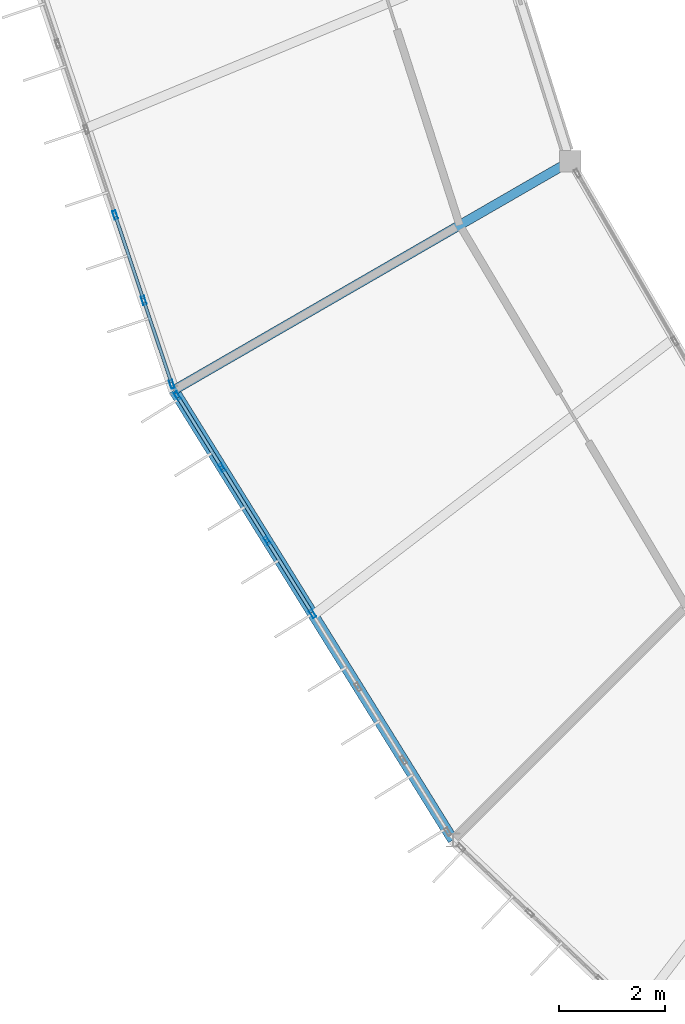
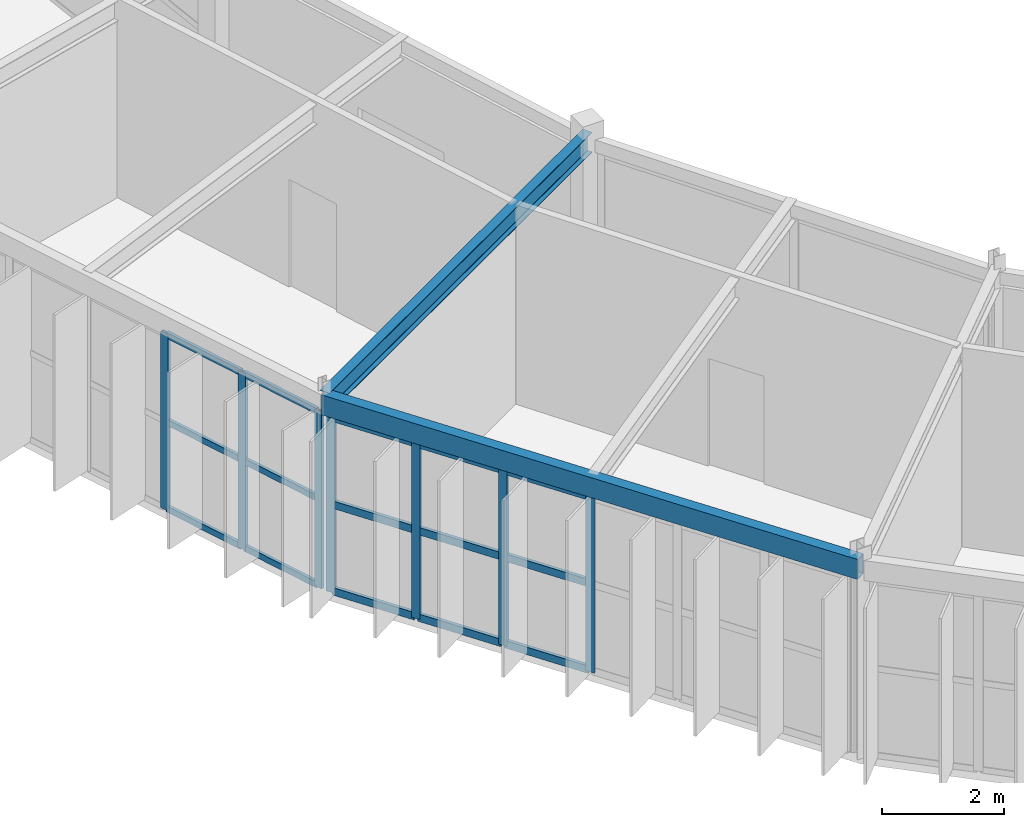
# One storey, part 25 of 134: 22 members, 2 beams, 2 elements without a shape of their own.
"""IFC4 building model written with IfcOpenShell, lengths in metres."""

from ifc_helpers import new_model, si_unit, direction, frame, origin, origin_2d, place, context, subcontext, project, spatial, hollow_rectangle, i_section, extrude, material, material_profile, profile_set, type_object, element, aggregate, save


model = new_model("IFC4")

# Units and contexts
model_context = context("Model", 3, precision=1e-05, world=origin(), true_north=direction((0.0, 1.0)))
body_context = subcontext(model_context, "Body", "Model", "MODEL_VIEW")
ifc_project = project(units=[si_unit("LENGTHUNIT", "METRE"), si_unit("AREAUNIT", "SQUARE_METRE"), si_unit("VOLUMEUNIT", "CUBIC_METRE"), si_unit("PLANEANGLEUNIT", "RADIAN"), si_unit("MASSUNIT", "GRAM", prefix="KILO")], contexts=[model_context])

# Site, building, storey
site_placement = place(None, origin())
site = spatial("IfcSite", under=ifc_project, at=site_placement, CompositionType="ELEMENT")
building_placement = place(site_placement, origin())
building = spatial("IfcBuilding", under=site, at=building_placement, Name="Karori Crest Natural Sciences Institute", CompositionType="ELEMENT")
storey_placement = place(building_placement, frame((0.0, 0.0, 21.699951171875)))
storey = spatial("IfcBuildingStorey", under=building, at=storey_placement, Name="L05", CompositionType="ELEMENT", Elevation=21.699951171875)

# Beams
ifc_material_1 = material(Name="Structural steel AS/NZS 3679.1 Grade 350", Category="steel")
ifc_material_profile_1 = material_profile(ifc_material_1, i_section(OverallWidth=0.177978515625, OverallDepth=0.406005859375, WebThickness=0.0078125, FlangeThickness=0.0126953125, FilletRadius=0.010986328125, at=origin_2d()), Name="410UB59.7")
ifc_profile_set_1 = profile_set([ifc_material_profile_1], Name="Structural steel AS/NZS 3679.1 Grade 350")
beam_type_1 = type_object("IfcBeamType", Name="BT-07", PredefinedType="BEAM", material=ifc_profile_set_1)
beam_1_placement = place(storey_placement, frame((45.26904296875, 33.800048828125, 3.739990234375), z_axis=(-0.866021068297, -0.500007509209, 0.0), x_axis=(0.500007509209, -0.866021068297, 0.0)))
element("IfcBeam", 1, at=beam_1_placement, inside=storey, type_object=beam_type_1, Name="Beam B-0688", PredefinedType="BEAM", context=body_context, shape_type="SweptSolid", body=[
    extrude(i_section(OverallWidth=0.177978515625, OverallDepth=0.406005859375, WebThickness=0.0078125, FlangeThickness=0.0126953125, FilletRadius=0.010986328125, at=origin_2d()), origin(), (0.0, 0.0, 1.0), 8.599853515625),
])
ifc_material_2 = material(Name="Hollow structural steel AS/NZS 1163 Grade C350", Category="steel")
ifc_material_profile_2 = material_profile(ifc_material_2, hollow_rectangle(XDim=0.199951171875, YDim=0.39990234375, WallThickness=0.012451171875, at=origin_2d()), Name="RHS400x200x12.5")
ifc_profile_set_2 = profile_set([ifc_material_profile_2], Name="Hollow structural steel AS/NZS 1163 Grade C350")
beam_type_2 = type_object("IfcBeamType", Name="BT-14", PredefinedType="SPANDREL", material=ifc_profile_set_2)
beam_2_placement = place(storey_placement, frame((37.8212890625, 29.5, 3.739990234375), z_axis=(0.527315195609, -0.849669750244, 0.0), x_axis=(0.849669750244, 0.527315195609, 0.0)))
element("IfcBeam", 2, at=beam_2_placement, inside=storey, type_object=beam_type_2, Name="Beam B-0686", PredefinedType="SPANDREL", context=body_context, shape_type="SweptSolid", body=[
    extrude(hollow_rectangle(XDim=0.199951171875, YDim=0.39990234375, WallThickness=0.012451171875, at=origin_2d()), origin(), (0.0, 0.0, 1.0), 9.945068359375),
])

# Curtain wall, members
ifc_material_3 = material(Name="Anodised architectural aluminium 6063-T6", Category="aluminium")
curtain_wall_type_1 = type_object("IfcCurtainWallType", Name="CWT-04", PredefinedType="NOTDEFINED", material=ifc_material_3)
curtain_wall_1_placement = place(storey_placement, origin())
curtain_wall_1 = element("IfcCurtainWall", 3, at=curtain_wall_1_placement, inside=storey, type_object=curtain_wall_type_1, Name="Curtain wall CW-0192", PredefinedType="NOTDEFINED")
ifc_material_profile_3 = material_profile(ifc_material_3, hollow_rectangle(XDim=0.06494140625, YDim=0.159912109375, WallThickness=0.00390625, at=origin_2d()), Name="CWM160x65x4")
ifc_profile_set_3 = profile_set([ifc_material_profile_3], Name="Anodised architectural aluminium 6063-T6")
member_type_1 = type_object("IfcMemberType", Name="CWM-01", PredefinedType="MULLION", material=ifc_profile_set_3)
member_1_placement = place(storey_placement, frame((37.784423828125, 29.60986328125, 0.0), z_axis=(0.0, 0.0, 1.0), x_axis=(-0.94819805026, -0.317679803392, 0.0)))
member_1 = element("IfcMember", 4, at=member_1_placement, type_object=member_type_1, Name="CW-0192 mullion 1", PredefinedType="MULLION", context=body_context, shape_type="SweptSolid", body=[
    extrude(hollow_rectangle(XDim=0.06494140625, YDim=0.159912109375, WallThickness=0.00390625, at=origin_2d()), origin(), (0.0, 0.0, 1.0), 3.525146484375),
])
member_2_placement = place(storey_placement, frame((37.256591796875, 31.18505859375, 0.0), z_axis=(0.0, 0.0, 1.0), x_axis=(-0.94819805026, -0.317679803392, 0.0)))
member_2 = element("IfcMember", 5, at=member_2_placement, type_object=member_type_1, Name="CW-0192 mullion 2", PredefinedType="MULLION", context=body_context, shape_type="SweptSolid", body=[
    extrude(hollow_rectangle(XDim=0.06494140625, YDim=0.159912109375, WallThickness=0.00390625, at=origin_2d()), origin(), (0.0, 0.0, 1.0), 3.525146484375),
])
member_3_placement = place(storey_placement, frame((36.718505859375, 32.791015625, 0.0), z_axis=(0.0, 0.0, 1.0), x_axis=(-0.94819805026, -0.317679803392, 0.0)))
member_3 = element("IfcMember", 6, at=member_3_placement, type_object=member_type_1, Name="CW-0192 mullion 3", PredefinedType="MULLION", context=body_context, shape_type="SweptSolid", body=[
    extrude(hollow_rectangle(XDim=0.06494140625, YDim=0.159912109375, WallThickness=0.00390625, at=origin_2d()), origin(), (0.0, 0.0, 1.0), 3.525146484375),
])

curtain_wall_type_2 = type_object("IfcCurtainWallType", Name="CWT-05", PredefinedType="NOTDEFINED", material=ifc_material_3)
curtain_wall_2_placement = place(storey_placement, origin())
curtain_wall_2 = element("IfcCurtainWall", 7, at=curtain_wall_2_placement, inside=storey, type_object=curtain_wall_type_2, Name="Curtain wall CW-0193", PredefinedType="NOTDEFINED")
member_4_placement = place(storey_placement, frame((40.42822265625, 25.299560546875, 0.0), z_axis=(0.0, 0.0, 1.0), x_axis=(-0.849661985715, -0.527327706489, 0.0)))
member_4 = element("IfcMember", 8, at=member_4_placement, type_object=member_type_1, Name="CW-0193 mullion 4", PredefinedType="MULLION", context=body_context, shape_type="SweptSolid", body=[
    extrude(hollow_rectangle(XDim=0.06494140625, YDim=0.159912109375, WallThickness=0.00390625, at=origin_2d()), origin(), (0.0, 0.0, 1.0), 3.525146484375),
])
member_5_placement = place(storey_placement, frame((39.57568359375, 26.67333984375, 0.0), z_axis=(0.0, 0.0, 1.0), x_axis=(-0.849661985715, -0.527327706489, 0.0)))
member_5 = element("IfcMember", 9, at=member_5_placement, type_object=member_type_1, Name="CW-0193 mullion 5", PredefinedType="MULLION", context=body_context, shape_type="SweptSolid", body=[
    extrude(hollow_rectangle(XDim=0.06494140625, YDim=0.159912109375, WallThickness=0.00390625, at=origin_2d()), origin(), (0.0, 0.0, 1.0), 3.525146484375),
])
member_6_placement = place(storey_placement, frame((38.722900390625, 28.046875, 0.0), z_axis=(0.0, 0.0, 1.0), x_axis=(-0.849661985715, -0.527327706489, 0.0)))
member_6 = element("IfcMember", 10, at=member_6_placement, type_object=member_type_1, Name="CW-0193 mullion 6", PredefinedType="MULLION", context=body_context, shape_type="SweptSolid", body=[
    extrude(hollow_rectangle(XDim=0.06494140625, YDim=0.159912109375, WallThickness=0.00390625, at=origin_2d()), origin(), (0.0, 0.0, 1.0), 3.525146484375),
])
member_7_placement = place(storey_placement, frame((37.887451171875, 29.39306640625, 0.0), z_axis=(0.0, 0.0, 1.0), x_axis=(-0.849661985715, -0.527327706489, 0.0)))
member_7 = element("IfcMember", 11, at=member_7_placement, type_object=member_type_1, Name="CW-0193 mullion 7", PredefinedType="MULLION", context=body_context, shape_type="SweptSolid", body=[
    extrude(hollow_rectangle(XDim=0.06494140625, YDim=0.159912109375, WallThickness=0.00390625, at=origin_2d()), origin(), (0.0, 0.0, 1.0), 3.525146484375),
])

# Member
ifc_material_profile_4 = material_profile(ifc_material_3, hollow_rectangle(XDim=0.06005859375, YDim=0.1201171875, WallThickness=0.00390625, at=origin_2d()), Name="CWT120x60x4")
ifc_profile_set_4 = profile_set([ifc_material_profile_4], Name="Anodised architectural aluminium 6063-T6")
member_type_2 = type_object("IfcMemberType", Name="CWT-TR1", PredefinedType="USERDEFINED", material=ifc_profile_set_4)
member_8_placement = place(storey_placement, frame((37.774169921875, 29.640625, 0.030029296875), z_axis=(-0.317787218054, 0.948162055791, 0.0), x_axis=(-0.948162055791, -0.317787218054, 0.0)))
member_8 = element("IfcMember", 12, at=member_8_placement, type_object=member_type_2, Name="CW-0192 transom 1.1", ObjectType="TRANSOM", PredefinedType="USERDEFINED", context=body_context, shape_type="SweptSolid", body=[
    extrude(hollow_rectangle(XDim=0.06005859375, YDim=0.1201171875, WallThickness=0.00390625, at=origin_2d()), origin(), (0.0, 0.0, 1.0), 1.596435546875),
])

member_9_placement = place(storey_placement, frame((37.774169921875, 29.640625, 1.762451171875), z_axis=(-0.317787218054, 0.948162055791, 0.0), x_axis=(-0.948162055791, -0.317787218054, 0.0)))
member_9 = element("IfcMember", 13, at=member_9_placement, type_object=member_type_2, Name="CW-0192 transom 1.2", ObjectType="TRANSOM", PredefinedType="USERDEFINED", context=body_context, shape_type="SweptSolid", body=[
    extrude(hollow_rectangle(XDim=0.06005859375, YDim=0.1201171875, WallThickness=0.00390625, at=origin_2d()), origin(), (0.0, 0.0, 1.0), 1.596435546875),
])

member_10_placement = place(storey_placement, frame((37.774169921875, 29.640625, 3.4951171875), z_axis=(-0.317787218054, 0.948162055791, 0.0), x_axis=(-0.948162055791, -0.317787218054, 0.0)))
member_10 = element("IfcMember", 14, at=member_10_placement, type_object=member_type_2, Name="CW-0192 transom 1.3", ObjectType="TRANSOM", PredefinedType="USERDEFINED", context=body_context, shape_type="SweptSolid", body=[
    extrude(hollow_rectangle(XDim=0.06005859375, YDim=0.1201171875, WallThickness=0.00390625, at=origin_2d()), origin(), (0.0, 0.0, 1.0), 1.596435546875),
])

member_11_placement = place(storey_placement, frame((37.246337890625, 31.2158203125, 0.030029296875), z_axis=(-0.317621421426, 0.948217608279, 0.0), x_axis=(-0.948217608279, -0.317621421426, 0.0)))
member_11 = element("IfcMember", 15, at=member_11_placement, type_object=member_type_2, Name="CW-0192 transom 2.1", ObjectType="TRANSOM", PredefinedType="USERDEFINED", context=body_context, shape_type="SweptSolid", body=[
    extrude(hollow_rectangle(XDim=0.06005859375, YDim=0.1201171875, WallThickness=0.00390625, at=origin_2d()), origin(), (0.0, 0.0, 1.0), 1.628662109375),
])

member_12_placement = place(storey_placement, frame((37.246337890625, 31.2158203125, 1.762451171875), z_axis=(-0.317621421426, 0.948217608279, 0.0), x_axis=(-0.948217608279, -0.317621421426, 0.0)))
member_12 = element("IfcMember", 16, at=member_12_placement, type_object=member_type_2, Name="CW-0192 transom 2.2", ObjectType="TRANSOM", PredefinedType="USERDEFINED", context=body_context, shape_type="SweptSolid", body=[
    extrude(hollow_rectangle(XDim=0.06005859375, YDim=0.1201171875, WallThickness=0.00390625, at=origin_2d()), origin(), (0.0, 0.0, 1.0), 1.628662109375),
])

member_13_placement = place(storey_placement, frame((37.246337890625, 31.2158203125, 3.4951171875), z_axis=(-0.317621421426, 0.948217608279, 0.0), x_axis=(-0.948217608279, -0.317621421426, 0.0)))
member_13 = element("IfcMember", 17, at=member_13_placement, type_object=member_type_2, Name="CW-0192 transom 2.3", ObjectType="TRANSOM", PredefinedType="USERDEFINED", context=body_context, shape_type="SweptSolid", body=[
    extrude(hollow_rectangle(XDim=0.06005859375, YDim=0.1201171875, WallThickness=0.00390625, at=origin_2d()), origin(), (0.0, 0.0, 1.0), 1.628662109375),
])

aggregate(curtain_wall_1, [member_1, member_2, member_3, member_8, member_9, member_10, member_11, member_12, member_13])

ifc_material_profile_5 = material_profile(ifc_material_3, hollow_rectangle(XDim=0.06494140625, YDim=0.14990234375, WallThickness=0.00390625, at=origin_2d()), Name="CWT150x65x4")
ifc_profile_set_5 = profile_set([ifc_material_profile_5], Name="Anodised architectural aluminium 6063-T6")
member_type_3 = type_object("IfcMemberType", Name="CWT-TR2", PredefinedType="USERDEFINED", material=ifc_profile_set_5)
member_14_placement = place(storey_placement, frame((40.4111328125, 25.3271484375, 0.032470703125), z_axis=(-0.5273941938, 0.849620717936, 0.0), x_axis=(-0.849620717936, -0.5273941938, 0.0)))
member_14 = element("IfcMember", 18, at=member_14_placement, type_object=member_type_3, Name="CW-0193 transom 4.1", ObjectType="TRANSOM", PredefinedType="USERDEFINED", context=body_context, shape_type="SweptSolid", body=[
    extrude(hollow_rectangle(XDim=0.06494140625, YDim=0.14990234375, WallThickness=0.00390625, at=origin_2d()), origin(), (0.0, 0.0, 1.0), 1.5517578125),
])

member_15_placement = place(storey_placement, frame((40.4111328125, 25.3271484375, 1.762451171875), z_axis=(-0.5273941938, 0.849620717936, 0.0), x_axis=(-0.849620717936, -0.5273941938, 0.0)))
member_15 = element("IfcMember", 19, at=member_15_placement, type_object=member_type_3, Name="CW-0193 transom 4.2", ObjectType="TRANSOM", PredefinedType="USERDEFINED", context=body_context, shape_type="SweptSolid", body=[
    extrude(hollow_rectangle(XDim=0.06494140625, YDim=0.14990234375, WallThickness=0.00390625, at=origin_2d()), origin(), (0.0, 0.0, 1.0), 1.5517578125),
])

member_16_placement = place(storey_placement, frame((40.4111328125, 25.3271484375, 3.492431640625), z_axis=(-0.5273941938, 0.849620717936, 0.0), x_axis=(-0.849620717936, -0.5273941938, 0.0)))
member_16 = element("IfcMember", 20, at=member_16_placement, type_object=member_type_3, Name="CW-0193 transom 4.3", ObjectType="TRANSOM", PredefinedType="USERDEFINED", context=body_context, shape_type="SweptSolid", body=[
    extrude(hollow_rectangle(XDim=0.06494140625, YDim=0.14990234375, WallThickness=0.00390625, at=origin_2d()), origin(), (0.0, 0.0, 1.0), 1.5517578125),
])

member_17_placement = place(storey_placement, frame((39.558349609375, 26.700927734375, 0.032470703125), z_axis=(-0.527280604983, 0.849691216624, 0.0), x_axis=(-0.849691216624, -0.527280604983, 0.0)))
member_17 = element("IfcMember", 21, at=member_17_placement, type_object=member_type_3, Name="CW-0193 transom 5.1", ObjectType="TRANSOM", PredefinedType="USERDEFINED", context=body_context, shape_type="SweptSolid", body=[
    extrude(hollow_rectangle(XDim=0.06494140625, YDim=0.14990234375, WallThickness=0.00390625, at=origin_2d()), origin(), (0.0, 0.0, 1.0), 1.551513671875),
])

member_18_placement = place(storey_placement, frame((39.558349609375, 26.700927734375, 1.762451171875), z_axis=(-0.527280604983, 0.849691216624, 0.0), x_axis=(-0.849691216624, -0.527280604983, 0.0)))
member_18 = element("IfcMember", 22, at=member_18_placement, type_object=member_type_3, Name="CW-0193 transom 5.2", ObjectType="TRANSOM", PredefinedType="USERDEFINED", context=body_context, shape_type="SweptSolid", body=[
    extrude(hollow_rectangle(XDim=0.06494140625, YDim=0.14990234375, WallThickness=0.00390625, at=origin_2d()), origin(), (0.0, 0.0, 1.0), 1.551513671875),
])

member_19_placement = place(storey_placement, frame((39.558349609375, 26.700927734375, 3.492431640625), z_axis=(-0.527280604983, 0.849691216624, 0.0), x_axis=(-0.849691216624, -0.527280604983, 0.0)))
member_19 = element("IfcMember", 23, at=member_19_placement, type_object=member_type_3, Name="CW-0193 transom 5.3", ObjectType="TRANSOM", PredefinedType="USERDEFINED", context=body_context, shape_type="SweptSolid", body=[
    extrude(hollow_rectangle(XDim=0.06494140625, YDim=0.14990234375, WallThickness=0.00390625, at=origin_2d()), origin(), (0.0, 0.0, 1.0), 1.551513671875),
])

member_20_placement = place(storey_placement, frame((38.705810546875, 28.074462890625, 0.032470703125), z_axis=(-0.527222854593, 0.849727051231, 0.0), x_axis=(-0.849727051231, -0.527222854593, 0.0)))
member_20 = element("IfcMember", 24, at=member_20_placement, type_object=member_type_3, Name="CW-0193 transom 6.1", ObjectType="TRANSOM", PredefinedType="USERDEFINED", context=body_context, shape_type="SweptSolid", body=[
    extrude(hollow_rectangle(XDim=0.06494140625, YDim=0.14990234375, WallThickness=0.00390625, at=origin_2d()), origin(), (0.0, 0.0, 1.0), 1.519287109375),
])

member_21_placement = place(storey_placement, frame((38.705810546875, 28.074462890625, 1.762451171875), z_axis=(-0.527222854593, 0.849727051231, 0.0), x_axis=(-0.849727051231, -0.527222854593, 0.0)))
member_21 = element("IfcMember", 25, at=member_21_placement, type_object=member_type_3, Name="CW-0193 transom 6.2", ObjectType="TRANSOM", PredefinedType="USERDEFINED", context=body_context, shape_type="SweptSolid", body=[
    extrude(hollow_rectangle(XDim=0.06494140625, YDim=0.14990234375, WallThickness=0.00390625, at=origin_2d()), origin(), (0.0, 0.0, 1.0), 1.519287109375),
])

member_22_placement = place(storey_placement, frame((38.705810546875, 28.074462890625, 3.492431640625), z_axis=(-0.527222854593, 0.849727051231, 0.0), x_axis=(-0.849727051231, -0.527222854593, 0.0)))
member_22 = element("IfcMember", 26, at=member_22_placement, type_object=member_type_3, Name="CW-0193 transom 6.3", ObjectType="TRANSOM", PredefinedType="USERDEFINED", context=body_context, shape_type="SweptSolid", body=[
    extrude(hollow_rectangle(XDim=0.06494140625, YDim=0.14990234375, WallThickness=0.00390625, at=origin_2d()), origin(), (0.0, 0.0, 1.0), 1.519287109375),
])

aggregate(curtain_wall_2, [member_4, member_5, member_6, member_7, member_14, member_15, member_16, member_17, member_18, member_19, member_20, member_21, member_22])

save(model, "model.ifc")
